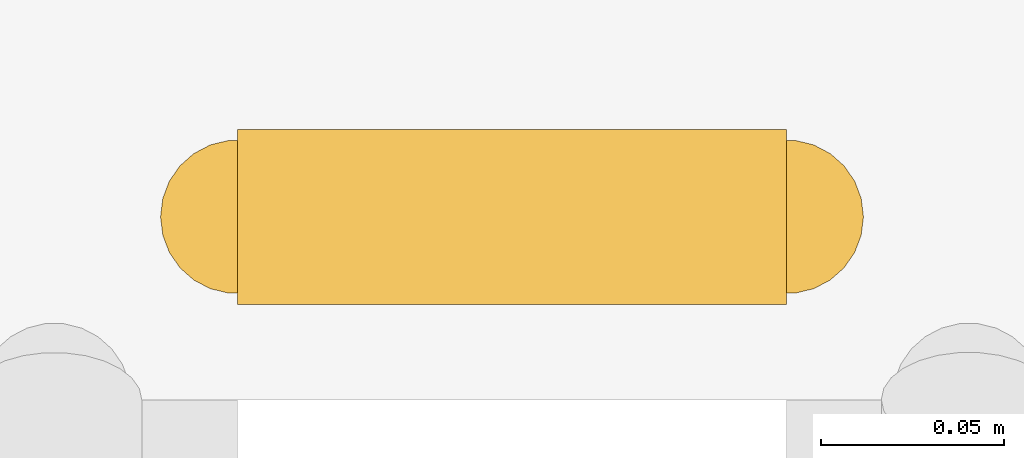
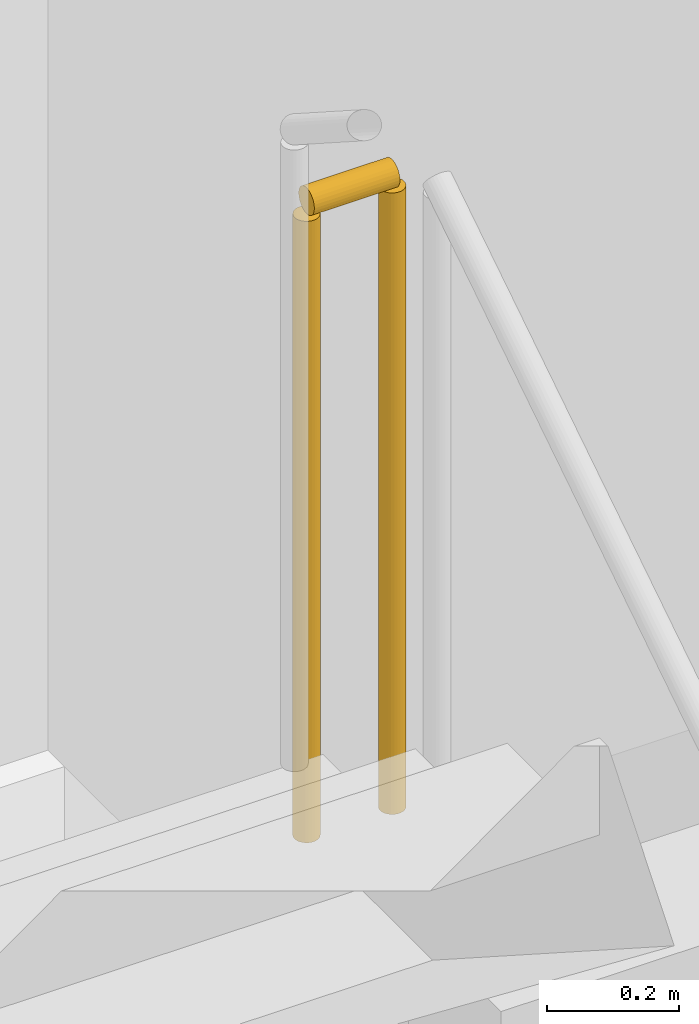
# One storey, part 27 of 28: 1 railing.
"""IFC4 building model written with IfcOpenShell, lengths in metres."""

from ifc_helpers import new_model, si_unit, direction, frame, origin, origin_2d, place, context, subcontext, project, spatial, circle, extrude, source, transform, mapped, material, type_object, element, save


model = new_model("IFC4")

# Units and contexts
model_context = context("Model", 3, precision=1e-05, world=origin(), true_north=direction((0.0, 1.0)))
body_context = subcontext(model_context, "Body", "Model", "MODEL_VIEW")
ifc_project = project(units=[si_unit("LENGTHUNIT", "METRE"), si_unit("AREAUNIT", "SQUARE_METRE"), si_unit("VOLUMEUNIT", "CUBIC_METRE"), si_unit("PLANEANGLEUNIT", "RADIAN"), si_unit("MASSUNIT", "GRAM", prefix="KILO")], contexts=[model_context])

# Site, building, storey
site_placement = place(None, origin())
site = spatial("IfcSite", under=ifc_project, at=site_placement, CompositionType="ELEMENT")
building_placement = place(site_placement, origin())
building = spatial("IfcBuilding", under=site, at=building_placement, Name="Khorayat Bourse Tower", CompositionType="ELEMENT")
storey_placement = place(building_placement, frame((0.0, 0.0, 12.0)))
storey = spatial("IfcBuildingStorey", under=building, at=storey_placement, Name="L02", CompositionType="ELEMENT", Elevation=12.0)

# Railing
ifc_material = material(Name="Powder-coated steel balustrade", Category="steel")
railing_type = type_object("IfcRailingType", Name="RLG-GUARD-1200", PredefinedType="GUARDRAIL", material=ifc_material)
shared_shape = source(origin(), body_context, "Body", "SweptSolid", [
    extrude(circle(Radius=0.02392578125, at=origin_2d()), frame((0.0, 0.0, 1.17578125), z_axis=(-1.0, 0.0, 0.0), x_axis=(0.0, -1.0, 0.0)), (0.0, 0.0, 1.0), 0.150146484375),
    extrude(circle(Radius=0.02099609375, at=origin_2d()), origin(), (0.0, 0.0, 1.0), 1.15185546875),
    extrude(circle(Radius=0.02099609375, at=origin_2d()), frame((-0.150146484375, 0.0, 0.0)), (0.0, 0.0, 1.0), 1.15185546875),
])
railing_placement = place(storey_placement, frame((-6.64990234375, 6.820068359375, 2.699951171875)))
element("IfcRailing", 1, at=railing_placement, inside=storey, type_object=railing_type, Name="L02 ST-2 stair guard 2", PredefinedType="GUARDRAIL", context=body_context, shape_type="MappedRepresentation", body=[
    mapped(shared_shape, transform((0.0, 0.0, 0.0), scale=1.0)),
])

save(model, "model.ifc")
